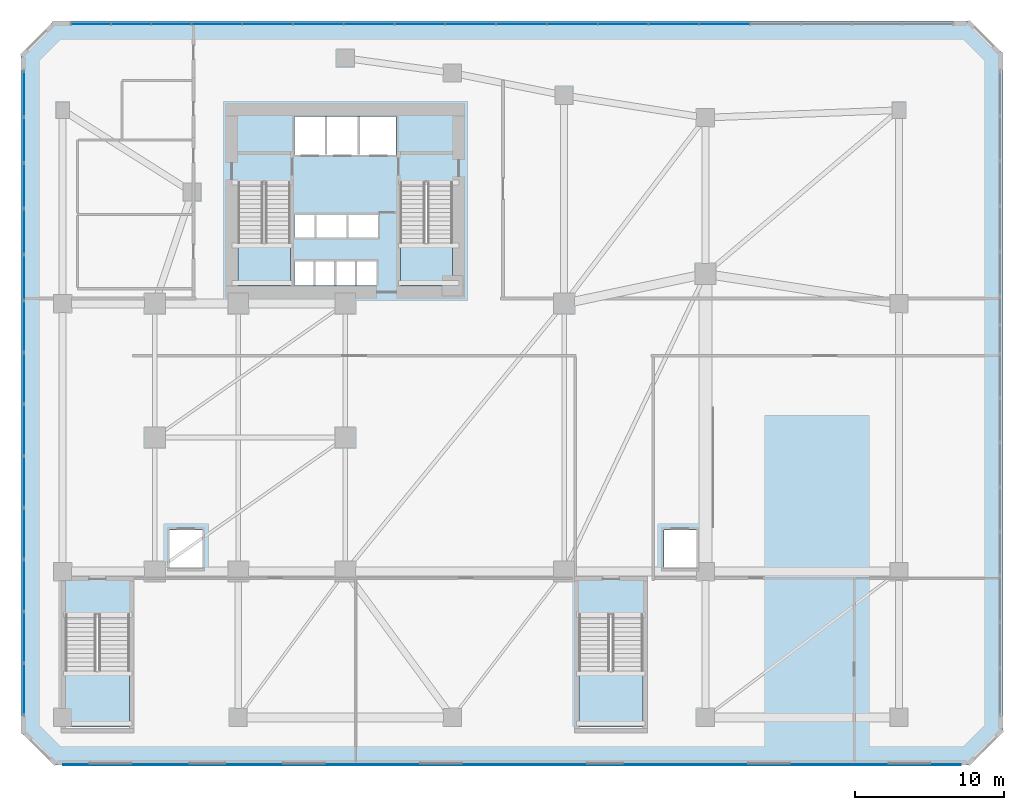
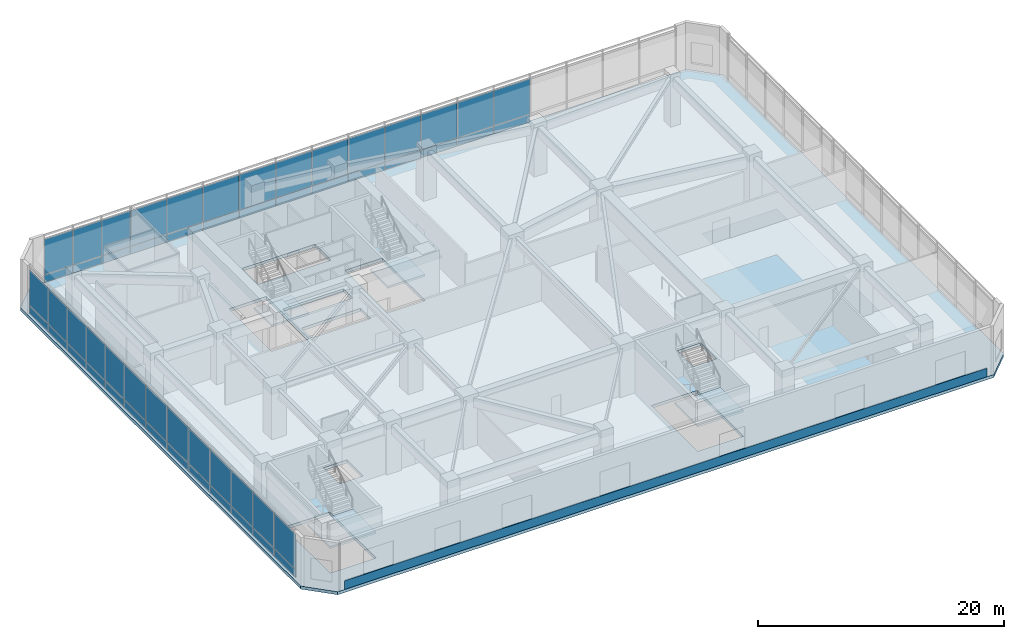
# One storey, part 8 of 15: 55 plates, 5 slabs, 6 elements without a shape of their own.
"""IFC4 building model written with IfcOpenShell, lengths in metres."""

import ifcopenshell
import ifcopenshell.guid

model = None  # the IFC model being written
_history = None  # IfcOwnerHistory: only IFC2X3 demands one
_inside = {}  # id of a spatial element -> (the spatial element, [elements in it])
_under = {}  # id of a project, library or spatial element -> (it, [spatial elements below it])
_declared = {}  # id of a project -> (the project, [libraries it declares])
_typed = {}  # id of a type object -> (the type object, [elements of that type])
_made_of = {}  # id of a material, layer set ... -> (it, [elements and type objects made of it])


def new_model(schema):
    """Start an empty IFC model of exactly this schema.

    Asked for "IFC4X3", IfcOpenShell would pick the latest addendum, in which some entities
    have other attributes; the version numbers below select the first issue.
    IFC2X3 requires an IfcOwnerHistory on every rooted entity: one is made here for all.
    """
    global model, _history
    if schema == "IFC4X3":
        model = ifcopenshell.file(schema_version=(4, 3, 0, 0))
    else:
        model = ifcopenshell.file(schema=schema)
    _inside.clear()
    _under.clear()
    _declared.clear()
    _typed.clear()
    _made_of.clear()
    _history = None
    if model.schema == "IFC2X3":
        org = make("IfcOrganization", Name="unknown")
        user = make(
            "IfcPersonAndOrganization",
            ThePerson=make("IfcPerson", FamilyName="unknown"),
            TheOrganization=org,
        )
        app = make(
            "IfcApplication",
            ApplicationDeveloper=org,
            Version="unknown",
            ApplicationFullName="unknown",
            ApplicationIdentifier="unknown",
        )
        _history = make(
            "IfcOwnerHistory",
            OwningUser=user,
            OwningApplication=app,
            ChangeAction="ADDED",
            CreationDate=0,
        )
    return model


def make(cls, **values):
    """One entity of the class cls with the attributes given. An attribute that is None is left unset."""
    return model.create_entity(
        cls, **{name: value for name, value in values.items() if value is not None}
    )


def rooted(cls, **values):
    """An entity with a GlobalId (a new one), such as an element, a storey or a relation."""
    return make(cls, GlobalId=ifcopenshell.guid.new(), OwnerHistory=_history, **values)


def si_unit(unit_type, name, prefix=None):
    """IfcSIUnit, for example si_unit("LENGTHUNIT", "METRE", prefix="MILLI")."""
    return make("IfcSIUnit", UnitType=unit_type, Prefix=prefix, Name=name)


def assignment(units):
    """IfcUnitAssignment: the units of a project."""
    return None if units is None else make("IfcUnitAssignment", Units=units)


def point(xyz):
    """IfcCartesianPoint."""
    return None if xyz is None else make("IfcCartesianPoint", Coordinates=xyz)


def direction(xyz):
    """IfcDirection."""
    return None if xyz is None else make("IfcDirection", DirectionRatios=xyz)


def frame(location, z_axis=None, x_axis=None):
    """IfcAxis2Placement3D, a coordinate frame: its origin and axes. An axis left out is left unset."""
    return make(
        "IfcAxis2Placement3D",
        Location=point(location),
        Axis=direction(z_axis),
        RefDirection=direction(x_axis),
    )


def frame_2d(location, x_axis=None):
    """IfcAxis2Placement2D, a coordinate frame in the plane: its origin and x axis."""
    return make(
        "IfcAxis2Placement2D", Location=point(location), RefDirection=direction(x_axis)
    )


def origin():
    """The frame at (0, 0, 0) with its axes left unset."""
    return frame((0.0, 0.0, 0.0))


def place(relative_to, where):
    """IfcLocalPlacement: puts the frame where relative to a parent placement (None: the world)."""
    return make(
        "IfcLocalPlacement", PlacementRelTo=relative_to, RelativePlacement=where
    )


def context(
    kind, dimensions, precision=None, world=None, true_north=None, identifier=None
):
    """IfcGeometricRepresentationContext, for example the 3D "Model" context."""
    return make(
        "IfcGeometricRepresentationContext",
        ContextIdentifier=identifier,
        ContextType=kind,
        CoordinateSpaceDimension=dimensions,
        Precision=precision,
        WorldCoordinateSystem=world,
        TrueNorth=true_north,
    )


def subcontext(parent, identifier, kind, view, scale=None):
    """IfcGeometricRepresentationSubContext, for example "Body" below "Model"."""
    return make(
        "IfcGeometricRepresentationSubContext",
        ContextIdentifier=identifier,
        ContextType=kind,
        ParentContext=parent,
        TargetScale=scale,
        TargetView=view,
    )


def project(units=None, contexts=None):
    """IfcProject with its units and contexts."""
    return rooted(
        "IfcProject",
        Name="project",
        RepresentationContexts=contexts,
        UnitsInContext=assignment(units),
    )


def spatial(cls, under=None, at=None, **own):
    """A site, building, storey or space (cls), placed at a placement, below another one or the project."""
    s = rooted(cls, ObjectPlacement=at, **own)
    if under is not None:
        _under.setdefault(under.id(), (under, []))[1].append(s)
    return s


def polyline(points):
    """IfcPolyline through the points."""
    return make("IfcPolyline", Points=[point(p) for p in points])


def profile(cls, at=None, kind="AREA", **sizes):
    """A parametric profile (cls). Its sizes go by their IFC names, for example OverallWidth=200.0."""
    return make(cls, ProfileType=kind, Position=at, **sizes)


def rectangle(**sizes):
    """IfcRectangleProfileDef."""
    return profile("IfcRectangleProfileDef", **sizes)


def outline(outer, holes=None, kind="AREA"):
    """IfcArbitraryClosedProfileDef: a profile drawn as a closed curve; with holes, ...WithVoids."""
    if holes is None:
        return make("IfcArbitraryClosedProfileDef", ProfileType=kind, OuterCurve=outer)
    return make(
        "IfcArbitraryProfileDefWithVoids",
        ProfileType=kind,
        OuterCurve=outer,
        InnerCurves=holes,
    )


def extrude(swept, where, along, depth):
    """IfcExtrudedAreaSolid: the profile swept, set in the frame where, extruded along a direction by depth."""
    return make(
        "IfcExtrudedAreaSolid",
        SweptArea=swept,
        Position=where,
        ExtrudedDirection=direction(along),
        Depth=depth,
    )


def shape(context_of_items, identifier, shape_type, items):
    """IfcShapeRepresentation: the items that make up one representation, for example the "Body"."""
    return make(
        "IfcShapeRepresentation",
        ContextOfItems=context_of_items,
        RepresentationIdentifier=identifier,
        RepresentationType=shape_type,
        Items=items,
    )


def material(Name=None, Category=None):
    """IfcMaterial."""
    return make("IfcMaterial", Name=Name, Category=Category)


def layer(
    of_material, thickness, ventilated=None, Name=None, Category=None, Priority=None
):
    """IfcMaterialLayer: one layer of a wall or slab, of a material (None: an air gap)."""
    return make(
        "IfcMaterialLayer",
        Material=of_material,
        LayerThickness=thickness,
        IsVentilated=ventilated,
        Name=Name,
        Category=Category,
        Priority=Priority,
    )


def layer_set(layers, Name=None):
    """IfcMaterialLayerSet."""
    return make("IfcMaterialLayerSet", MaterialLayers=layers, LayerSetName=Name)


def made_of(thing, what):
    """Note that an element or type object is made of a material, layer set ...; save() writes the relation."""
    if what is not None:
        _made_of.setdefault(what.id(), (what, []))[1].append(thing)
    return thing


def type_object(cls, material=None, **own):
    """A type object (cls), such as IfcWallType, which elements share."""
    return made_of(rooted(cls, **own), material)


def element(
    cls,
    number,
    at=None,
    inside=None,
    cuts=None,
    type_object=None,
    material=None,
    context=None,
    identifier="Body",
    shape_type=None,
    held_by="IfcProductDefinitionShape",
    body=None,
    shapes=None,
    **own,
):
    """One element of the class cls, such as IfcWall. Its Tag is "e" and its number.

    at: its placement. inside: the storey or other place that contains it. cuts: it is an
    opening in that element (IfcRelVoidsElement). A single representation is given by context,
    identifier, shape_type and body (its items); several are given by shapes. held_by: the class
    of the entity that holds the representations. save() writes the other relations.
    """
    e = rooted(cls, Tag="e%d" % number, ObjectPlacement=at, **own)
    if body is not None:
        shapes = [shape(context, identifier, shape_type, body)]
    if shapes is not None:
        e.Representation = make(held_by, Representations=shapes)
    if inside is not None:
        _inside.setdefault(inside.id(), (inside, []))[1].append(e)
    if cuts is not None:
        rooted(
            "IfcRelVoidsElement", RelatingBuildingElement=cuts, RelatedOpeningElement=e
        )
    if type_object is not None:
        _typed.setdefault(type_object.id(), (type_object, []))[1].append(e)
    return made_of(e, material)


def aggregate(whole, parts):
    """IfcRelAggregates: a whole, such as a stair, and the parts it consists of."""
    return rooted("IfcRelAggregates", RelatingObject=whole, RelatedObjects=parts)


def save(model, path):
    """Write the relations noted so far, then the file.

    IfcRelAggregates (storeys below a building ...), IfcRelContainedInSpatialStructure (elements
    in a storey), IfcRelDefinesByType, IfcRelAssociatesMaterial and IfcRelDeclares: one each for
    every whole, place, type object, material and project.
    """
    for whole, parts in _under.values():
        aggregate(whole, parts)
    for where, things in _inside.values():
        rooted(
            "IfcRelContainedInSpatialStructure",
            RelatedElements=things,
            RelatingStructure=where,
        )
    for kind, things in _typed.values():
        rooted("IfcRelDefinesByType", RelatedObjects=things, RelatingType=kind)
    for what, things in _made_of.values():
        rooted("IfcRelAssociatesMaterial", RelatedObjects=things, RelatingMaterial=what)
    for by, libraries in _declared.values():
        rooted("IfcRelDeclares", RelatingContext=by, RelatedDefinitions=libraries)
    model.write(path)


model = new_model("IFC4")

# Units and contexts
model_context = context("Model", 3, precision=1e-05, world=origin(), true_north=direction((0.0, 1.0)))
body_context = subcontext(model_context, "Body", "Model", "MODEL_VIEW")
ifc_project = project(units=[si_unit("LENGTHUNIT", "METRE"), si_unit("AREAUNIT", "SQUARE_METRE"), si_unit("VOLUMEUNIT", "CUBIC_METRE"), si_unit("PLANEANGLEUNIT", "RADIAN"), si_unit("MASSUNIT", "GRAM", prefix="KILO")], contexts=[model_context])

# Site, building, storey
site_placement = place(None, origin())
site = spatial("IfcSite", under=ifc_project, at=site_placement, CompositionType="ELEMENT")
building_placement = place(site_placement, origin())
building = spatial("IfcBuilding", under=site, at=building_placement, Name="Calvemar Wedge Station Tower", CompositionType="ELEMENT")
storey_placement = place(building_placement, frame((0.0, 0.0, 16.39990234375)))
storey = spatial("IfcBuildingStorey", under=building, at=storey_placement, Name="L04", CompositionType="ELEMENT", Elevation=16.39990234375)

# Curtain wall, plates
ifc_material_1 = material(Name="Anodised aluminium 6063-T6", Category="aluminium")
curtain_wall_type = type_object("IfcCurtainWallType", Name="CW5", PredefinedType="NOTDEFINED", material=ifc_material_1)
curtain_wall_1_placement = place(storey_placement, origin())
curtain_wall_1 = element("IfcCurtainWall", 1, at=curtain_wall_1_placement, inside=storey, type_object=curtain_wall_type, Name="Storey L04 CW5 Recessed Unitised Curtain Wall 4", PredefinedType="NOTDEFINED")
ifc_material_2 = material(Name="Low-E laminated insulated glass", Category="glass")
ifc_layer_1 = layer(ifc_material_2, 0.028076171875)
ifc_layer_set_1 = layer_set([ifc_layer_1], Name="Low-E laminated insulated glass")
plate_type_1 = type_object("IfcPlateType", Name="CW5-GLZ", PredefinedType="CURTAIN_PANEL", material=ifc_layer_set_1)
plate_1_placement = place(storey_placement, frame((50.972412109375, 51.7900390625, 0.8701171875), z_axis=(0.0, 0.0, 1.0), x_axis=(-1.0, 0.0, 0.0)))
plate_1 = element("IfcPlate", 2, at=plate_1_placement, type_object=plate_type_1, Name="CW5 vision glass panel 5", PredefinedType="CURTAIN_PANEL", context=body_context, shape_type="SweptSolid", body=[
    extrude(rectangle(XDim=3.375732421875, YDim=0.028076171875, at=frame_2d((1.68798828125, 0.0))), origin(), (0.0, 0.0, 1.0), 3.510009765625),
])
plate_2_placement = place(storey_placement, frame((47.560546875, 51.7900390625, 0.8701171875), z_axis=(0.0, 0.0, 1.0), x_axis=(-1.0, 0.0, 0.0)))
plate_2 = element("IfcPlate", 3, at=plate_2_placement, type_object=plate_type_1, Name="CW5 vision glass panel 6", PredefinedType="CURTAIN_PANEL", context=body_context, shape_type="SweptSolid", body=[
    extrude(rectangle(XDim=3.375732421875, YDim=0.028076171875, at=frame_2d((1.68798828125, 0.0))), origin(), (0.0, 0.0, 1.0), 3.510009765625),
])
plate_3_placement = place(storey_placement, frame((44.148681640625, 51.7900390625, 0.8701171875), z_axis=(0.0, 0.0, 1.0), x_axis=(-1.0, 0.0, 0.0)))
plate_3 = element("IfcPlate", 4, at=plate_3_placement, type_object=plate_type_1, Name="CW5 vision glass panel 7", PredefinedType="CURTAIN_PANEL", context=body_context, shape_type="SweptSolid", body=[
    extrude(rectangle(XDim=3.375732421875, YDim=0.028076171875, at=frame_2d((1.68798828125, 0.0))), origin(), (0.0, 0.0, 1.0), 3.510009765625),
])
plate_4_placement = place(storey_placement, frame((40.73681640625, 51.7900390625, 0.8701171875), z_axis=(0.0, 0.0, 1.0), x_axis=(-1.0, 0.0, 0.0)))
plate_4 = element("IfcPlate", 5, at=plate_4_placement, type_object=plate_type_1, Name="CW5 vision glass panel 8", PredefinedType="CURTAIN_PANEL", context=body_context, shape_type="SweptSolid", body=[
    extrude(rectangle(XDim=3.375732421875, YDim=0.028076171875, at=frame_2d((1.68798828125, 0.0))), origin(), (0.0, 0.0, 1.0), 3.510009765625),
])
plate_5_placement = place(storey_placement, frame((37.324951171875, 51.7900390625, 0.8701171875), z_axis=(0.0, 0.0, 1.0), x_axis=(-1.0, 0.0, 0.0)))
plate_5 = element("IfcPlate", 6, at=plate_5_placement, type_object=plate_type_1, Name="CW5 vision glass panel 9", PredefinedType="CURTAIN_PANEL", context=body_context, shape_type="SweptSolid", body=[
    extrude(rectangle(XDim=3.375732421875, YDim=0.028076171875, at=frame_2d((1.68798828125, 0.0))), origin(), (0.0, 0.0, 1.0), 3.510009765625),
])
plate_6_placement = place(storey_placement, frame((33.9130859375, 51.7900390625, 0.8701171875), z_axis=(0.0, 0.0, 1.0), x_axis=(-1.0, 0.0, 0.0)))
plate_6 = element("IfcPlate", 7, at=plate_6_placement, type_object=plate_type_1, Name="CW5 vision glass panel 10", PredefinedType="CURTAIN_PANEL", context=body_context, shape_type="SweptSolid", body=[
    extrude(rectangle(XDim=3.375732421875, YDim=0.028076171875, at=frame_2d((1.68798828125, 0.0))), origin(), (0.0, 0.0, 1.0), 3.510009765625),
])
plate_7_placement = place(storey_placement, frame((30.501220703125, 51.7900390625, 0.8701171875), z_axis=(0.0, 0.0, 1.0), x_axis=(-1.0, 0.0, 0.0)))
plate_7 = element("IfcPlate", 8, at=plate_7_placement, type_object=plate_type_1, Name="CW5 vision glass panel 11", PredefinedType="CURTAIN_PANEL", context=body_context, shape_type="SweptSolid", body=[
    extrude(rectangle(XDim=3.375732421875, YDim=0.028076171875, at=frame_2d((1.68798828125, 0.0))), origin(), (0.0, 0.0, 1.0), 3.510009765625),
])
plate_8_placement = place(storey_placement, frame((27.08935546875, 51.7900390625, 0.8701171875), z_axis=(0.0, 0.0, 1.0), x_axis=(-1.0, 0.0, 0.0)))
plate_8 = element("IfcPlate", 9, at=plate_8_placement, type_object=plate_type_1, Name="CW5 vision glass panel 12", PredefinedType="CURTAIN_PANEL", context=body_context, shape_type="SweptSolid", body=[
    extrude(rectangle(XDim=3.375732421875, YDim=0.028076171875, at=frame_2d((1.68798828125, 0.0))), origin(), (0.0, 0.0, 1.0), 3.510009765625),
])
plate_9_placement = place(storey_placement, frame((23.677490234375, 51.7900390625, 0.8701171875), z_axis=(0.0, 0.0, 1.0), x_axis=(-1.0, 0.0, 0.0)))
plate_9 = element("IfcPlate", 10, at=plate_9_placement, type_object=plate_type_1, Name="CW5 vision glass panel 13", PredefinedType="CURTAIN_PANEL", context=body_context, shape_type="SweptSolid", body=[
    extrude(rectangle(XDim=3.375732421875, YDim=0.028076171875, at=frame_2d((1.68798828125, 0.0))), origin(), (0.0, 0.0, 1.0), 3.510009765625),
])
plate_10_placement = place(storey_placement, frame((20.265625, 51.7900390625, 0.8701171875), z_axis=(0.0, 0.0, 1.0), x_axis=(-1.0, 0.0, 0.0)))
plate_10 = element("IfcPlate", 11, at=plate_10_placement, type_object=plate_type_1, Name="CW5 vision glass panel 14", PredefinedType="CURTAIN_PANEL", context=body_context, shape_type="SweptSolid", body=[
    extrude(rectangle(XDim=3.375732421875, YDim=0.028076171875, at=frame_2d((1.68798828125, 0.0))), origin(), (0.0, 0.0, 1.0), 3.510009765625),
])
plate_11_placement = place(storey_placement, frame((16.85400390625, 51.7900390625, 0.8701171875), z_axis=(0.0, 0.0, 1.0), x_axis=(-1.0, 0.0, 0.0)))
plate_11 = element("IfcPlate", 12, at=plate_11_placement, type_object=plate_type_1, Name="CW5 vision glass panel 15", PredefinedType="CURTAIN_PANEL", context=body_context, shape_type="SweptSolid", body=[
    extrude(rectangle(XDim=3.3759765625, YDim=0.028076171875, at=frame_2d((1.68798828125, 0.0))), origin(), (0.0, 0.0, 1.0), 3.510009765625),
])
plate_12_placement = place(storey_placement, frame((13.44189453125, 51.7900390625, 0.8701171875), z_axis=(0.0, 0.0, 1.0), x_axis=(-1.0, 0.0, 0.0)))
plate_12 = element("IfcPlate", 13, at=plate_12_placement, type_object=plate_type_1, Name="CW5 vision glass panel 16", PredefinedType="CURTAIN_PANEL", context=body_context, shape_type="SweptSolid", body=[
    extrude(rectangle(XDim=2.6630859375, YDim=0.028076171875, at=frame_2d((1.33154296875, 0.0))), origin(), (0.0, 0.0, 1.0), 3.510009765625),
])
plate_13_placement = place(storey_placement, frame((10.74267578125, 51.7900390625, 0.8701171875), z_axis=(0.0, 0.0, 1.0), x_axis=(-1.0, 0.0, 0.0)))
plate_13 = element("IfcPlate", 14, at=plate_13_placement, type_object=plate_type_1, Name="CW5 vision glass panel 17", PredefinedType="CURTAIN_PANEL", context=body_context, shape_type="SweptSolid", body=[
    extrude(rectangle(XDim=2.663330078125, YDim=0.028076171875, at=frame_2d((1.33154296875, 0.0))), origin(), (0.0, 0.0, 1.0), 3.510009765625),
])
plate_14_placement = place(storey_placement, frame((8.04345703125, 51.7900390625, 0.8701171875), z_axis=(0.0, 0.0, 1.0), x_axis=(-1.0, 0.0, 0.0)))
plate_14 = element("IfcPlate", 15, at=plate_14_placement, type_object=plate_type_1, Name="CW5 vision glass panel 18", PredefinedType="CURTAIN_PANEL", context=body_context, shape_type="SweptSolid", body=[
    extrude(rectangle(XDim=2.663330078125, YDim=0.028076171875, at=frame_2d((1.33154296875, 0.0))), origin(), (0.0, 0.0, 1.0), 3.510009765625),
])

curtain_wall_2_placement = place(storey_placement, origin())
curtain_wall_2 = element("IfcCurtainWall", 16, at=curtain_wall_2_placement, inside=storey, type_object=curtain_wall_type, Name="Storey L04 CW5 Recessed Unitised Curtain Wall 6", PredefinedType="NOTDEFINED")
plate_15_placement = place(storey_placement, frame((2.2099609375, 48.619873046875, 0.8701171875), z_axis=(0.0, 0.0, 1.0), x_axis=(0.0, -1.0, 0.0)))
plate_15 = element("IfcPlate", 17, at=plate_15_placement, type_object=plate_type_1, Name="CW5 vision glass panel 1", PredefinedType="CURTAIN_PANEL", context=body_context, shape_type="SweptSolid", body=[
    extrude(rectangle(XDim=3.049560546875, YDim=0.028076171875, at=frame_2d((1.52490234375, 0.0))), origin(), (0.0, 0.0, 1.0), 3.510009765625),
])
plate_16_placement = place(storey_placement, frame((2.2099609375, 45.5341796875, 0.8701171875), z_axis=(0.0, 0.0, 1.0), x_axis=(0.0, -1.0, 0.0)))
plate_16 = element("IfcPlate", 18, at=plate_16_placement, type_object=plate_type_1, Name="CW5 vision glass panel 2", PredefinedType="CURTAIN_PANEL", context=body_context, shape_type="SweptSolid", body=[
    extrude(rectangle(XDim=3.049560546875, YDim=0.028076171875, at=frame_2d((1.52490234375, 0.0))), origin(), (0.0, 0.0, 1.0), 3.510009765625),
])
plate_17_placement = place(storey_placement, frame((2.2099609375, 42.44873046875, 0.8701171875), z_axis=(0.0, 0.0, 1.0), x_axis=(0.0, -1.0, 0.0)))
plate_17 = element("IfcPlate", 19, at=plate_17_placement, type_object=plate_type_1, Name="CW5 vision glass panel 3", PredefinedType="CURTAIN_PANEL", context=body_context, shape_type="SweptSolid", body=[
    extrude(rectangle(XDim=3.049560546875, YDim=0.028076171875, at=frame_2d((1.52490234375, 0.0))), origin(), (0.0, 0.0, 1.0), 3.510009765625),
])
plate_18_placement = place(storey_placement, frame((2.2099609375, 39.36328125, 0.8701171875), z_axis=(0.0, 0.0, 1.0), x_axis=(0.0, -1.0, 0.0)))
plate_18 = element("IfcPlate", 20, at=plate_18_placement, type_object=plate_type_1, Name="CW5 vision glass panel 4", PredefinedType="CURTAIN_PANEL", context=body_context, shape_type="SweptSolid", body=[
    extrude(rectangle(XDim=3.049560546875, YDim=0.028076171875, at=frame_2d((1.52490234375, 0.0))), origin(), (0.0, 0.0, 1.0), 3.510009765625),
])
plate_19_placement = place(storey_placement, frame((2.2099609375, 36.277587890625, 0.8701171875), z_axis=(0.0, 0.0, 1.0), x_axis=(0.0, -1.0, 0.0)))
plate_19 = element("IfcPlate", 21, at=plate_19_placement, type_object=plate_type_1, Name="CW5 vision glass panel 5", PredefinedType="CURTAIN_PANEL", context=body_context, shape_type="SweptSolid", body=[
    extrude(rectangle(XDim=3.049560546875, YDim=0.028076171875, at=frame_2d((1.52490234375, 0.0))), origin(), (0.0, 0.0, 1.0), 3.510009765625),
])
plate_20_placement = place(storey_placement, frame((2.2099609375, 33.19189453125, 0.8701171875), z_axis=(0.0, 0.0, 1.0), x_axis=(0.0, -1.0, 0.0)))
plate_20 = element("IfcPlate", 22, at=plate_20_placement, type_object=plate_type_1, Name="CW5 vision glass panel 6", PredefinedType="CURTAIN_PANEL", context=body_context, shape_type="SweptSolid", body=[
    extrude(rectangle(XDim=3.44482421875, YDim=0.028076171875, at=frame_2d((1.722412109375, 0.0))), origin(), (0.0, 0.0, 1.0), 3.510009765625),
])
plate_21_placement = place(storey_placement, frame((2.2099609375, 29.7109375, 0.8701171875), z_axis=(0.0, 0.0, 1.0), x_axis=(0.0, -1.0, 0.0)))
plate_21 = element("IfcPlate", 23, at=plate_21_placement, type_object=plate_type_1, Name="CW5 vision glass panel 7", PredefinedType="CURTAIN_PANEL", context=body_context, shape_type="SweptSolid", body=[
    extrude(rectangle(XDim=3.44482421875, YDim=0.028076171875, at=frame_2d((1.722412109375, 0.0))), origin(), (0.0, 0.0, 1.0), 3.510009765625),
])
plate_22_placement = place(storey_placement, frame((2.2099609375, 26.22998046875, 0.8701171875), z_axis=(0.0, 0.0, 1.0), x_axis=(0.0, -1.0, 0.0)))
plate_22 = element("IfcPlate", 24, at=plate_22_placement, type_object=plate_type_1, Name="CW5 vision glass panel 8", PredefinedType="CURTAIN_PANEL", context=body_context, shape_type="SweptSolid", body=[
    extrude(rectangle(XDim=3.445068359375, YDim=0.028076171875, at=frame_2d((1.72265625, 0.0))), origin(), (0.0, 0.0, 1.0), 3.510009765625),
])
plate_23_placement = place(storey_placement, frame((2.2099609375, 22.7490234375, 0.8701171875), z_axis=(0.0, 0.0, 1.0), x_axis=(0.0, -1.0, 0.0)))
plate_23 = element("IfcPlate", 25, at=plate_23_placement, type_object=plate_type_1, Name="CW5 vision glass panel 9", PredefinedType="CURTAIN_PANEL", context=body_context, shape_type="SweptSolid", body=[
    extrude(rectangle(XDim=3.44482421875, YDim=0.028076171875, at=frame_2d((1.722412109375, 0.0))), origin(), (0.0, 0.0, 1.0), 3.510009765625),
])
plate_24_placement = place(storey_placement, frame((2.2099609375, 19.26806640625, 0.8701171875), z_axis=(0.0, 0.0, 1.0), x_axis=(0.0, -1.0, 0.0)))
plate_24 = element("IfcPlate", 26, at=plate_24_placement, type_object=plate_type_1, Name="CW5 vision glass panel 10", PredefinedType="CURTAIN_PANEL", context=body_context, shape_type="SweptSolid", body=[
    extrude(rectangle(XDim=3.445068359375, YDim=0.028076171875, at=frame_2d((1.72265625, 0.0))), origin(), (0.0, 0.0, 1.0), 3.510009765625),
])
plate_25_placement = place(storey_placement, frame((2.2099609375, 15.787109375, 0.8701171875), z_axis=(0.0, 0.0, 1.0), x_axis=(0.0, -1.0, 0.0)))
plate_25 = element("IfcPlate", 27, at=plate_25_placement, type_object=plate_type_1, Name="CW5 vision glass panel 11", PredefinedType="CURTAIN_PANEL", context=body_context, shape_type="SweptSolid", body=[
    extrude(rectangle(XDim=3.445068359375, YDim=0.028076171875, at=frame_2d((1.72265625, 0.0))), origin(), (0.0, 0.0, 1.0), 3.510009765625),
])
plate_26_placement = place(storey_placement, frame((2.2099609375, 12.30615234375, 0.8701171875), z_axis=(0.0, 0.0, 1.0), x_axis=(0.0, -1.0, 0.0)))
plate_26 = element("IfcPlate", 28, at=plate_26_placement, type_object=plate_type_1, Name="CW5 vision glass panel 12", PredefinedType="CURTAIN_PANEL", context=body_context, shape_type="SweptSolid", body=[
    extrude(rectangle(XDim=3.445068359375, YDim=0.028076171875, at=frame_2d((1.72265625, 0.0))), origin(), (0.0, 0.0, 1.0), 3.510009765625),
])
plate_27_placement = place(storey_placement, frame((2.2099609375, 8.8251953125, 0.8701171875), z_axis=(0.0, 0.0, 1.0), x_axis=(0.0, -1.0, 0.0)))
plate_27 = element("IfcPlate", 29, at=plate_27_placement, type_object=plate_type_1, Name="CW5 vision glass panel 13", PredefinedType="CURTAIN_PANEL", context=body_context, shape_type="SweptSolid", body=[
    extrude(rectangle(XDim=3.445068359375, YDim=0.028076171875, at=frame_2d((1.72265625, 0.0))), origin(), (0.0, 0.0, 1.0), 3.510009765625),
])

# Plate
ifc_material_3 = material(Name="Oxidized bronze aluminium spandrel panel 5005-H24", Category="aluminium")
ifc_layer_2 = layer(ifc_material_3, 0.0400390625)
ifc_layer_set_2 = layer_set([ifc_layer_2], Name="Oxidized bronze aluminium spandrel panel 5005-H24")
plate_type_2 = type_object("IfcPlateType", Name="CW5-SPD", PredefinedType="SHEET", material=ifc_layer_set_2)
plate_28_placement = place(storey_placement, frame((50.972412109375, 51.7900390625, 0.080078125), z_axis=(0.0, 0.0, 1.0), x_axis=(-1.0, 0.0, 0.0)))
plate_28 = element("IfcPlate", 30, at=plate_28_placement, type_object=plate_type_2, Name="CW5 bronze spandrel panel 5", PredefinedType="SHEET", context=body_context, shape_type="SweptSolid", body=[
    extrude(rectangle(XDim=3.375732421875, YDim=0.0400390625, at=frame_2d((1.68798828125, 0.0))), origin(), (0.0, 0.0, 1.0), 0.75),
])

plate_29_placement = place(storey_placement, frame((47.560546875, 51.7900390625, 0.080078125), z_axis=(0.0, 0.0, 1.0), x_axis=(-1.0, 0.0, 0.0)))
plate_29 = element("IfcPlate", 31, at=plate_29_placement, type_object=plate_type_2, Name="CW5 bronze spandrel panel 6", PredefinedType="SHEET", context=body_context, shape_type="SweptSolid", body=[
    extrude(rectangle(XDim=3.375732421875, YDim=0.0400390625, at=frame_2d((1.68798828125, 0.0))), origin(), (0.0, 0.0, 1.0), 0.75),
])

plate_30_placement = place(storey_placement, frame((44.148681640625, 51.7900390625, 0.080078125), z_axis=(0.0, 0.0, 1.0), x_axis=(-1.0, 0.0, 0.0)))
plate_30 = element("IfcPlate", 32, at=plate_30_placement, type_object=plate_type_2, Name="CW5 bronze spandrel panel 7", PredefinedType="SHEET", context=body_context, shape_type="SweptSolid", body=[
    extrude(rectangle(XDim=3.375732421875, YDim=0.0400390625, at=frame_2d((1.68798828125, 0.0))), origin(), (0.0, 0.0, 1.0), 0.75),
])

plate_31_placement = place(storey_placement, frame((40.73681640625, 51.7900390625, 0.080078125), z_axis=(0.0, 0.0, 1.0), x_axis=(-1.0, 0.0, 0.0)))
plate_31 = element("IfcPlate", 33, at=plate_31_placement, type_object=plate_type_2, Name="CW5 bronze spandrel panel 8", PredefinedType="SHEET", context=body_context, shape_type="SweptSolid", body=[
    extrude(rectangle(XDim=3.375732421875, YDim=0.0400390625, at=frame_2d((1.68798828125, 0.0))), origin(), (0.0, 0.0, 1.0), 0.75),
])

plate_32_placement = place(storey_placement, frame((37.324951171875, 51.7900390625, 0.080078125), z_axis=(0.0, 0.0, 1.0), x_axis=(-1.0, 0.0, 0.0)))
plate_32 = element("IfcPlate", 34, at=plate_32_placement, type_object=plate_type_2, Name="CW5 bronze spandrel panel 9", PredefinedType="SHEET", context=body_context, shape_type="SweptSolid", body=[
    extrude(rectangle(XDim=3.375732421875, YDim=0.0400390625, at=frame_2d((1.68798828125, 0.0))), origin(), (0.0, 0.0, 1.0), 0.75),
])

plate_33_placement = place(storey_placement, frame((33.9130859375, 51.7900390625, 0.080078125), z_axis=(0.0, 0.0, 1.0), x_axis=(-1.0, 0.0, 0.0)))
plate_33 = element("IfcPlate", 35, at=plate_33_placement, type_object=plate_type_2, Name="CW5 bronze spandrel panel 10", PredefinedType="SHEET", context=body_context, shape_type="SweptSolid", body=[
    extrude(rectangle(XDim=3.375732421875, YDim=0.0400390625, at=frame_2d((1.68798828125, 0.0))), origin(), (0.0, 0.0, 1.0), 0.75),
])

plate_34_placement = place(storey_placement, frame((30.501220703125, 51.7900390625, 0.080078125), z_axis=(0.0, 0.0, 1.0), x_axis=(-1.0, 0.0, 0.0)))
plate_34 = element("IfcPlate", 36, at=plate_34_placement, type_object=plate_type_2, Name="CW5 bronze spandrel panel 11", PredefinedType="SHEET", context=body_context, shape_type="SweptSolid", body=[
    extrude(rectangle(XDim=3.375732421875, YDim=0.0400390625, at=frame_2d((1.68798828125, 0.0))), origin(), (0.0, 0.0, 1.0), 0.75),
])

plate_35_placement = place(storey_placement, frame((27.08935546875, 51.7900390625, 0.080078125), z_axis=(0.0, 0.0, 1.0), x_axis=(-1.0, 0.0, 0.0)))
plate_35 = element("IfcPlate", 37, at=plate_35_placement, type_object=plate_type_2, Name="CW5 bronze spandrel panel 12", PredefinedType="SHEET", context=body_context, shape_type="SweptSolid", body=[
    extrude(rectangle(XDim=3.375732421875, YDim=0.0400390625, at=frame_2d((1.68798828125, 0.0))), origin(), (0.0, 0.0, 1.0), 0.75),
])

plate_36_placement = place(storey_placement, frame((23.677490234375, 51.7900390625, 0.080078125), z_axis=(0.0, 0.0, 1.0), x_axis=(-1.0, 0.0, 0.0)))
plate_36 = element("IfcPlate", 38, at=plate_36_placement, type_object=plate_type_2, Name="CW5 bronze spandrel panel 13", PredefinedType="SHEET", context=body_context, shape_type="SweptSolid", body=[
    extrude(rectangle(XDim=3.375732421875, YDim=0.0400390625, at=frame_2d((1.68798828125, 0.0))), origin(), (0.0, 0.0, 1.0), 0.75),
])

plate_37_placement = place(storey_placement, frame((20.265625, 51.7900390625, 0.080078125), z_axis=(0.0, 0.0, 1.0), x_axis=(-1.0, 0.0, 0.0)))
plate_37 = element("IfcPlate", 39, at=plate_37_placement, type_object=plate_type_2, Name="CW5 bronze spandrel panel 14", PredefinedType="SHEET", context=body_context, shape_type="SweptSolid", body=[
    extrude(rectangle(XDim=3.375732421875, YDim=0.0400390625, at=frame_2d((1.68798828125, 0.0))), origin(), (0.0, 0.0, 1.0), 0.75),
])

plate_38_placement = place(storey_placement, frame((16.85400390625, 51.7900390625, 0.080078125), z_axis=(0.0, 0.0, 1.0), x_axis=(-1.0, 0.0, 0.0)))
plate_38 = element("IfcPlate", 40, at=plate_38_placement, type_object=plate_type_2, Name="CW5 bronze spandrel panel 15", PredefinedType="SHEET", context=body_context, shape_type="SweptSolid", body=[
    extrude(rectangle(XDim=3.3759765625, YDim=0.0400390625, at=frame_2d((1.68798828125, 0.0))), origin(), (0.0, 0.0, 1.0), 0.75),
])

plate_39_placement = place(storey_placement, frame((13.44189453125, 51.7900390625, 0.080078125), z_axis=(0.0, 0.0, 1.0), x_axis=(-1.0, 0.0, 0.0)))
plate_39 = element("IfcPlate", 41, at=plate_39_placement, type_object=plate_type_2, Name="CW5 bronze spandrel panel 16", PredefinedType="SHEET", context=body_context, shape_type="SweptSolid", body=[
    extrude(rectangle(XDim=2.6630859375, YDim=0.0400390625, at=frame_2d((1.33154296875, 0.0))), origin(), (0.0, 0.0, 1.0), 0.75),
])

plate_40_placement = place(storey_placement, frame((10.74267578125, 51.7900390625, 0.080078125), z_axis=(0.0, 0.0, 1.0), x_axis=(-1.0, 0.0, 0.0)))
plate_40 = element("IfcPlate", 42, at=plate_40_placement, type_object=plate_type_2, Name="CW5 bronze spandrel panel 17", PredefinedType="SHEET", context=body_context, shape_type="SweptSolid", body=[
    extrude(rectangle(XDim=2.663330078125, YDim=0.0400390625, at=frame_2d((1.33154296875, 0.0))), origin(), (0.0, 0.0, 1.0), 0.75),
])

plate_41_placement = place(storey_placement, frame((8.04345703125, 51.7900390625, 0.080078125), z_axis=(0.0, 0.0, 1.0), x_axis=(-1.0, 0.0, 0.0)))
plate_41 = element("IfcPlate", 43, at=plate_41_placement, type_object=plate_type_2, Name="CW5 bronze spandrel panel 18", PredefinedType="SHEET", context=body_context, shape_type="SweptSolid", body=[
    extrude(rectangle(XDim=2.663330078125, YDim=0.0400390625, at=frame_2d((1.33154296875, 0.0))), origin(), (0.0, 0.0, 1.0), 0.75),
])

aggregate(curtain_wall_1, [plate_28, plate_1, plate_29, plate_2, plate_30, plate_3, plate_31, plate_4, plate_32, plate_5, plate_33, plate_6, plate_34, plate_7, plate_35, plate_8, plate_36, plate_9, plate_37, plate_10, plate_38, plate_11, plate_39, plate_12, plate_40, plate_13, plate_41, plate_14])

plate_42_placement = place(storey_placement, frame((2.2099609375, 48.619873046875, 0.080078125), z_axis=(0.0, 0.0, 1.0), x_axis=(0.0, -1.0, 0.0)))
plate_42 = element("IfcPlate", 44, at=plate_42_placement, type_object=plate_type_2, Name="CW5 bronze spandrel panel 1", PredefinedType="SHEET", context=body_context, shape_type="SweptSolid", body=[
    extrude(rectangle(XDim=3.049560546875, YDim=0.0400390625, at=frame_2d((1.52490234375, 0.0))), origin(), (0.0, 0.0, 1.0), 0.75),
])

plate_43_placement = place(storey_placement, frame((2.2099609375, 45.5341796875, 0.080078125), z_axis=(0.0, 0.0, 1.0), x_axis=(0.0, -1.0, 0.0)))
plate_43 = element("IfcPlate", 45, at=plate_43_placement, type_object=plate_type_2, Name="CW5 bronze spandrel panel 2", PredefinedType="SHEET", context=body_context, shape_type="SweptSolid", body=[
    extrude(rectangle(XDim=3.049560546875, YDim=0.0400390625, at=frame_2d((1.52490234375, 0.0))), origin(), (0.0, 0.0, 1.0), 0.75),
])

plate_44_placement = place(storey_placement, frame((2.2099609375, 42.44873046875, 0.080078125), z_axis=(0.0, 0.0, 1.0), x_axis=(0.0, -1.0, 0.0)))
plate_44 = element("IfcPlate", 46, at=plate_44_placement, type_object=plate_type_2, Name="CW5 bronze spandrel panel 3", PredefinedType="SHEET", context=body_context, shape_type="SweptSolid", body=[
    extrude(rectangle(XDim=3.049560546875, YDim=0.0400390625, at=frame_2d((1.52490234375, 0.0))), origin(), (0.0, 0.0, 1.0), 0.75),
])

plate_45_placement = place(storey_placement, frame((2.2099609375, 39.36328125, 0.080078125), z_axis=(0.0, 0.0, 1.0), x_axis=(0.0, -1.0, 0.0)))
plate_45 = element("IfcPlate", 47, at=plate_45_placement, type_object=plate_type_2, Name="CW5 bronze spandrel panel 4", PredefinedType="SHEET", context=body_context, shape_type="SweptSolid", body=[
    extrude(rectangle(XDim=3.049560546875, YDim=0.0400390625, at=frame_2d((1.52490234375, 0.0))), origin(), (0.0, 0.0, 1.0), 0.75),
])

plate_46_placement = place(storey_placement, frame((2.2099609375, 36.277587890625, 0.080078125), z_axis=(0.0, 0.0, 1.0), x_axis=(0.0, -1.0, 0.0)))
plate_46 = element("IfcPlate", 48, at=plate_46_placement, type_object=plate_type_2, Name="CW5 bronze spandrel panel 5", PredefinedType="SHEET", context=body_context, shape_type="SweptSolid", body=[
    extrude(rectangle(XDim=3.049560546875, YDim=0.0400390625, at=frame_2d((1.52490234375, 0.0))), origin(), (0.0, 0.0, 1.0), 0.75),
])

plate_47_placement = place(storey_placement, frame((2.2099609375, 33.19189453125, 0.080078125), z_axis=(0.0, 0.0, 1.0), x_axis=(0.0, -1.0, 0.0)))
plate_47 = element("IfcPlate", 49, at=plate_47_placement, type_object=plate_type_2, Name="CW5 bronze spandrel panel 6", PredefinedType="SHEET", context=body_context, shape_type="SweptSolid", body=[
    extrude(rectangle(XDim=3.44482421875, YDim=0.0400390625, at=frame_2d((1.722412109375, 0.0))), origin(), (0.0, 0.0, 1.0), 0.75),
])

plate_48_placement = place(storey_placement, frame((2.2099609375, 29.7109375, 0.080078125), z_axis=(0.0, 0.0, 1.0), x_axis=(0.0, -1.0, 0.0)))
plate_48 = element("IfcPlate", 50, at=plate_48_placement, type_object=plate_type_2, Name="CW5 bronze spandrel panel 7", PredefinedType="SHEET", context=body_context, shape_type="SweptSolid", body=[
    extrude(rectangle(XDim=3.44482421875, YDim=0.0400390625, at=frame_2d((1.722412109375, 0.0))), origin(), (0.0, 0.0, 1.0), 0.75),
])

plate_49_placement = place(storey_placement, frame((2.2099609375, 26.22998046875, 0.080078125), z_axis=(0.0, 0.0, 1.0), x_axis=(0.0, -1.0, 0.0)))
plate_49 = element("IfcPlate", 51, at=plate_49_placement, type_object=plate_type_2, Name="CW5 bronze spandrel panel 8", PredefinedType="SHEET", context=body_context, shape_type="SweptSolid", body=[
    extrude(rectangle(XDim=3.445068359375, YDim=0.0400390625, at=frame_2d((1.72265625, 0.0))), origin(), (0.0, 0.0, 1.0), 0.75),
])

plate_50_placement = place(storey_placement, frame((2.2099609375, 22.7490234375, 0.080078125), z_axis=(0.0, 0.0, 1.0), x_axis=(0.0, -1.0, 0.0)))
plate_50 = element("IfcPlate", 52, at=plate_50_placement, type_object=plate_type_2, Name="CW5 bronze spandrel panel 9", PredefinedType="SHEET", context=body_context, shape_type="SweptSolid", body=[
    extrude(rectangle(XDim=3.44482421875, YDim=0.0400390625, at=frame_2d((1.722412109375, 0.0))), origin(), (0.0, 0.0, 1.0), 0.75),
])

plate_51_placement = place(storey_placement, frame((2.2099609375, 19.26806640625, 0.080078125), z_axis=(0.0, 0.0, 1.0), x_axis=(0.0, -1.0, 0.0)))
plate_51 = element("IfcPlate", 53, at=plate_51_placement, type_object=plate_type_2, Name="CW5 bronze spandrel panel 10", PredefinedType="SHEET", context=body_context, shape_type="SweptSolid", body=[
    extrude(rectangle(XDim=3.445068359375, YDim=0.0400390625, at=frame_2d((1.72265625, 0.0))), origin(), (0.0, 0.0, 1.0), 0.75),
])

plate_52_placement = place(storey_placement, frame((2.2099609375, 15.787109375, 0.080078125), z_axis=(0.0, 0.0, 1.0), x_axis=(0.0, -1.0, 0.0)))
plate_52 = element("IfcPlate", 54, at=plate_52_placement, type_object=plate_type_2, Name="CW5 bronze spandrel panel 11", PredefinedType="SHEET", context=body_context, shape_type="SweptSolid", body=[
    extrude(rectangle(XDim=3.445068359375, YDim=0.0400390625, at=frame_2d((1.72265625, 0.0))), origin(), (0.0, 0.0, 1.0), 0.75),
])

plate_53_placement = place(storey_placement, frame((2.2099609375, 12.30615234375, 0.080078125), z_axis=(0.0, 0.0, 1.0), x_axis=(0.0, -1.0, 0.0)))
plate_53 = element("IfcPlate", 55, at=plate_53_placement, type_object=plate_type_2, Name="CW5 bronze spandrel panel 12", PredefinedType="SHEET", context=body_context, shape_type="SweptSolid", body=[
    extrude(rectangle(XDim=3.445068359375, YDim=0.0400390625, at=frame_2d((1.72265625, 0.0))), origin(), (0.0, 0.0, 1.0), 0.75),
])

plate_54_placement = place(storey_placement, frame((2.2099609375, 8.8251953125, 0.080078125), z_axis=(0.0, 0.0, 1.0), x_axis=(0.0, -1.0, 0.0)))
plate_54 = element("IfcPlate", 56, at=plate_54_placement, type_object=plate_type_2, Name="CW5 bronze spandrel panel 13", PredefinedType="SHEET", context=body_context, shape_type="SweptSolid", body=[
    extrude(rectangle(XDim=3.445068359375, YDim=0.0400390625, at=frame_2d((1.72265625, 0.0))), origin(), (0.0, 0.0, 1.0), 0.75),
])

aggregate(curtain_wall_2, [plate_42, plate_15, plate_43, plate_16, plate_44, plate_17, plate_45, plate_18, plate_46, plate_19, plate_47, plate_20, plate_48, plate_21, plate_49, plate_22, plate_50, plate_23, plate_51, plate_24, plate_52, plate_25, plate_53, plate_26, plate_54, plate_27])

ifc_material_4 = material(Name="Precast concrete C45", Category="concrete")
ifc_layer_3 = layer(ifc_material_4, 0.06494140625)
ifc_layer_set_3 = layer_set([ifc_layer_3], Name="Precast concrete C45")
plate_type_3 = type_object("IfcPlateType", Name="PL-GFRC-FIN", PredefinedType="USERDEFINED", material=ifc_layer_set_3)
plate_55_placement = place(storey_placement, frame((4.857421875, 2.030029296875, 0.0), z_axis=(0.0, 0.0, 1.0), x_axis=(1.0, 0.0, 0.0)))
element("IfcPlate", 57, at=plate_55_placement, inside=storey, type_object=plate_type_3, Name="Storey L04 Oxidized-Bronze GFRC Spandrel Cladding 8", ObjectType="CLADDING PANEL", PredefinedType="USERDEFINED", context=body_context, shape_type="SweptSolid", body=[
    extrude(rectangle(XDim=60.28515625, YDim=0.06494140625, at=frame_2d((30.142578125, 0.0))), origin(), (0.0, 0.0, 1.0), 0.85009765625),
])

# Slab
ifc_material_5 = material(Name="Concrete C50", Category="concrete")
ifc_layer_4 = layer(ifc_material_5, 0.300048828125)
ifc_layer_set_4 = layer_set([ifc_layer_4], Name="Concrete C50")
slab_type_1 = type_object("IfcSlabType", Name="SL-POD-300", PredefinedType="FLOOR", material=ifc_layer_set_4)
slab_1_placement = place(storey_placement, frame((0.0, 0.0, -0.2998046875)))
element("IfcSlab", 58, at=slab_1_placement, inside=storey, type_object=slab_type_1, Name="Storey L04 Structural Floor Slab", PredefinedType="FLOOR", context=body_context, shape_type="SweptSolid", body=[
    extrude(outline(polyline([(4.199951171875, 2.0), (65.800048828125, 2.0), (68.0, 4.199951171875), (68.0, 49.800048828125), (65.800048828125, 52.0), (4.199951171875, 52.0), (2.0, 49.800048828125), (2.0, 4.199951171875), (4.199951171875, 2.0)]), holes=[polyline([(5.0, 4.60009765625), (9.300048828125, 4.60009765625), (9.300048828125, 12.10009765625), (5.0, 12.10009765625), (5.0, 4.60009765625)]), polyline([(12.0, 15.199951171875), (14.199951171875, 15.199951171875), (14.199951171875, 17.800048828125), (12.0, 17.800048828125), (12.0, 15.199951171875)]), polyline([(21.72998046875, 34.219970703125), (21.739990234375, 34.219970703125), (23.1201171875, 34.219970703125), (23.1298828125, 34.219970703125), (24.510009765625, 34.219970703125), (24.52001953125, 34.219970703125), (25.909912109375, 34.219970703125), (25.909912109375, 35.85009765625), (24.52001953125, 35.85009765625), (24.510009765625, 35.85009765625), (23.1298828125, 35.85009765625), (23.1201171875, 35.85009765625), (21.739990234375, 35.85009765625), (21.72998046875, 35.85009765625), (20.3798828125, 35.85009765625), (20.3798828125, 34.219970703125), (21.72998046875, 34.219970703125)]), polyline([(16.60009765625, 41.14990234375), (16.60009765625, 34.199951171875), (20.10009765625, 34.199951171875), (20.10009765625, 41.14990234375), (16.60009765625, 41.14990234375)]), polyline([(23.93994140625, 37.449951171875), (26.080078125, 37.449951171875), (26.080078125, 38.949951171875), (23.93994140625, 38.949951171875), (23.929931640625, 38.949951171875), (21.800048828125, 38.949951171875), (21.7900390625, 38.949951171875), (20.3798828125, 38.949951171875), (20.3798828125, 37.449951171875), (21.7900390625, 37.449951171875), (21.800048828125, 37.449951171875), (23.929931640625, 37.449951171875), (23.93994140625, 37.449951171875)]), polyline([(39.5, 4.60009765625), (43.800048828125, 4.60009765625), (43.800048828125, 12.10009765625), (39.5, 12.10009765625), (39.5, 4.60009765625)]), polyline([(45.199951171875, 15.199951171875), (47.39990234375, 15.199951171875), (47.39990234375, 17.800048828125), (45.199951171875, 17.800048828125), (45.199951171875, 15.199951171875)]), polyline([(27.5, 41.14990234375), (27.5, 34.199951171875), (31.0, 34.199951171875), (31.0, 41.14990234375), (27.5, 41.14990234375)]), polyline([(20.3798828125, 43.0), (27.219970703125, 43.0), (27.219970703125, 45.580078125), (20.3798828125, 45.580078125), (20.3798828125, 43.0)])]), origin(), (0.0, 0.0, 1.0), 0.2998046875),
])

# Stair, slab
ifc_material_6 = material(Name="Concrete C45", Category="concrete")
stair_type_1 = type_object("IfcStairType", Name="ST-TYPE-5200", PredefinedType="HALF_TURN_STAIR", material=ifc_material_6)
stair_1_placement = place(storey_placement, origin())
stair_1 = element("IfcStair", 59, at=stair_1_placement, inside=storey, type_object=stair_type_1, Name="L04 Pressurized Core Exit Stair ST-C1", PredefinedType="HALF_TURN_STAIR")
ifc_layer_5 = layer(ifc_material_6, 0.199951171875)
ifc_layer_set_5 = layer_set([ifc_layer_5], Name="Concrete C45")
slab_type_2 = type_object("IfcSlabType", Name="SL-STAIR-LND-200", PredefinedType="LANDING", material=ifc_layer_set_5)
slab_2_placement = place(storey_placement, frame((0.0, 0.0, 2.400146484375)))
slab_2 = element("IfcSlab", 60, at=slab_2_placement, type_object=slab_type_2, Name="ST-C1 landing 1", PredefinedType="LANDING", context=body_context, shape_type="SweptSolid", body=[
    extrude(outline(polyline([(16.60009765625, 37.090087890625), (16.60009765625, 34.199951171875), (20.10009765625, 34.199951171875), (20.10009765625, 37.090087890625), (16.60009765625, 37.090087890625)])), origin(), (0.0, 0.0, 1.0), 0.199951171875),
])
aggregate(stair_1, [slab_2])

stair_2_placement = place(storey_placement, origin())
stair_2 = element("IfcStair", 61, at=stair_2_placement, inside=storey, type_object=stair_type_1, Name="L04 Pressurized Core Exit Stair ST-C2", PredefinedType="HALF_TURN_STAIR")
slab_3_placement = place(storey_placement, frame((0.0, 0.0, 2.400146484375)))
slab_3 = element("IfcSlab", 62, at=slab_3_placement, type_object=slab_type_2, Name="ST-C2 landing 1", PredefinedType="LANDING", context=body_context, shape_type="SweptSolid", body=[
    extrude(outline(polyline([(27.5, 37.090087890625), (27.5, 34.199951171875), (31.0, 34.199951171875), (31.0, 37.090087890625), (27.5, 37.090087890625)])), origin(), (0.0, 0.0, 1.0), 0.199951171875),
])
aggregate(stair_2, [slab_3])

stair_type_2 = type_object("IfcStairType", Name="ST-TYPE-POD5200", PredefinedType="HALF_TURN_STAIR", material=ifc_material_6)
stair_3_placement = place(storey_placement, origin())
stair_3 = element("IfcStair", 63, at=stair_3_placement, inside=storey, type_object=stair_type_2, Name="L04 Station Podium Exit Stair ST-P1", PredefinedType="HALF_TURN_STAIR")
slab_4_placement = place(storey_placement, frame((0.0, 0.0, 2.400146484375)))
slab_4 = element("IfcSlab", 64, at=slab_4_placement, type_object=slab_type_2, Name="ST-P1 landing 1", PredefinedType="LANDING", context=body_context, shape_type="SweptSolid", body=[
    extrude(outline(polyline([(5.0, 8.330078125), (5.0, 4.60009765625), (9.300048828125, 4.60009765625), (9.300048828125, 8.330078125), (5.0, 8.330078125)])), origin(), (0.0, 0.0, 1.0), 0.199951171875),
])
aggregate(stair_3, [slab_4])

stair_4_placement = place(storey_placement, origin())
stair_4 = element("IfcStair", 65, at=stair_4_placement, inside=storey, type_object=stair_type_2, Name="L04 Station Podium Exit Stair ST-P2", PredefinedType="HALF_TURN_STAIR")
slab_5_placement = place(storey_placement, frame((0.0, 0.0, 2.400146484375)))
slab_5 = element("IfcSlab", 66, at=slab_5_placement, type_object=slab_type_2, Name="ST-P2 landing 1", PredefinedType="LANDING", context=body_context, shape_type="SweptSolid", body=[
    extrude(outline(polyline([(39.5, 8.330078125), (39.5, 4.60009765625), (43.800048828125, 4.60009765625), (43.800048828125, 8.330078125), (39.5, 8.330078125)])), origin(), (0.0, 0.0, 1.0), 0.199951171875),
])
aggregate(stair_4, [slab_5])

save(model, "model.ifc")
